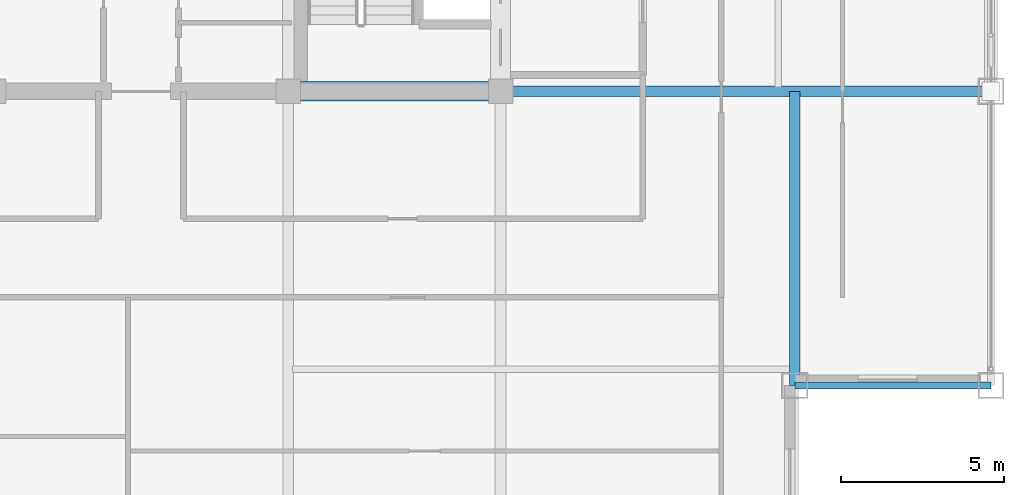
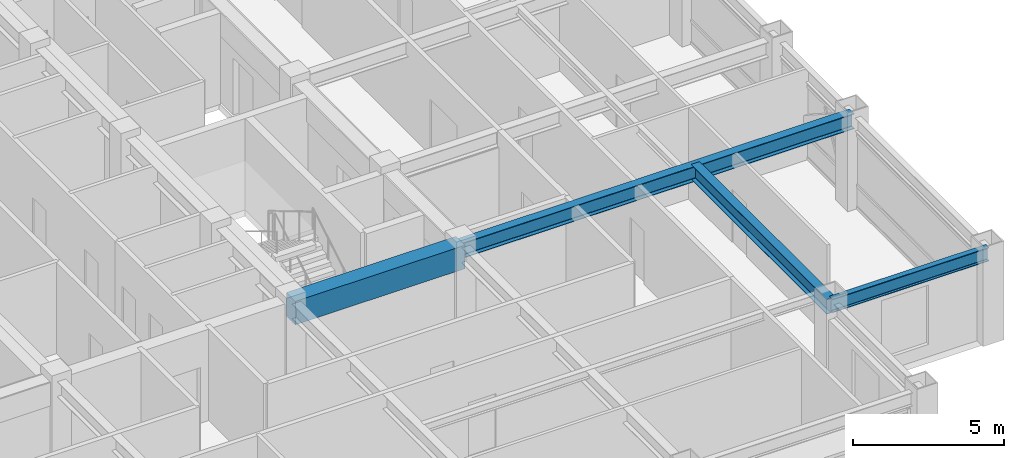
# One storey, part 9 of 32: 4 beams.
"""IFC4 building model written with IfcOpenShell, lengths in metres."""

from ifc_helpers import new_model, si_unit, direction, frame, origin, origin_2d, place, context, subcontext, project, spatial, rectangle, i_section, extrude, source, transform, mapped, material, material_profile, profile_set, type_object, element, save


model = new_model("IFC4")

# Units and contexts
model_context = context("Model", 3, precision=1e-05, world=origin(), true_north=direction((0.0, 1.0)))
body_context = subcontext(model_context, "Body", "Model", "MODEL_VIEW")
ifc_project = project(units=[si_unit("LENGTHUNIT", "METRE"), si_unit("AREAUNIT", "SQUARE_METRE"), si_unit("VOLUMEUNIT", "CUBIC_METRE"), si_unit("PLANEANGLEUNIT", "RADIAN"), si_unit("MASSUNIT", "GRAM", prefix="KILO")], contexts=[model_context])

# Site, building, storey
site_placement = place(None, origin())
site = spatial("IfcSite", under=ifc_project, at=site_placement, CompositionType="ELEMENT")
building_placement = place(site_placement, origin())
building = spatial("IfcBuilding", under=site, at=building_placement, Name="Khorayat Bourse Tower", CompositionType="ELEMENT")
storey_placement = place(building_placement, frame((0.0, 0.0, 342.300048828125)))
storey = spatial("IfcBuildingStorey", under=building, at=storey_placement, Name="L81", CompositionType="ELEMENT", Elevation=342.300048828125)

# Beams
ifc_material_1 = material(Name="Concrete C60/75", Category="concrete")
ifc_material_profile_1 = material_profile(ifc_material_1, rectangle(XDim=0.60009765625, YDim=0.949951171875, at=origin_2d()), Name="RC 600x950")
ifc_profile_set_1 = profile_set([ifc_material_profile_1], Name="Concrete C60/75")
beam_type_1 = type_object("IfcBeamType", Name="BM-COUP-950", PredefinedType="BEAM", material=ifc_profile_set_1)
shared_shape_1 = source(origin(), body_context, "Body", "SweptSolid", [
    extrude(rectangle(XDim=0.60009765625, YDim=0.949951171875, at=origin_2d()), origin(), (0.0, 0.0, 1.0), 6.5),
])
beam_1_placement = place(storey_placement, frame((4.5, -11.0, 3.224853515625), z_axis=(1.0, 0.0, 0.0), x_axis=(0.0, 1.0, 0.0)))
element("IfcBeam", 1, at=beam_1_placement, inside=storey, type_object=beam_type_1, Name="L81 BM-COUP-950 BM-L81-CRY-18", PredefinedType="BEAM", context=body_context, shape_type="MappedRepresentation", body=[
    mapped(shared_shape_1, transform((0.0, 0.0, 0.0), scale=1.0)),
])
ifc_material_2 = material(Name="Steel ASTM A992 Grade 50", Category="steel")
ifc_material_profile_2 = material_profile(ifc_material_2, i_section(OverallWidth=0.214111328125, OverallDepth=0.549072265625, WebThickness=0.0146484375, FlangeThickness=0.023681640625, FilletRadius=0.013916015625, at=origin_2d()), Name="W530X138")
ifc_profile_set_2 = profile_set([ifc_material_profile_2], Name="Steel ASTM A992 Grade 50")
beam_type_2 = type_object("IfcBeamType", Name="BM-SPAN-530", PredefinedType="SPANDREL", material=ifc_profile_set_2)
shared_shape_2 = source(origin(), body_context, "Body", "SweptSolid", [
    extrude(i_section(OverallWidth=0.214111328125, OverallDepth=0.549072265625, WebThickness=0.0146484375, FlangeThickness=0.023681640625, FilletRadius=0.013916015625, at=origin_2d()), origin(), (0.0, 0.0, 1.0), 6.0),
])
beam_2_placement = place(storey_placement, frame((20.0, -20.0, 3.425537109375), z_axis=(1.0, 0.0, 0.0), x_axis=(0.0, 1.0, 0.0)))
element("IfcBeam", 2, at=beam_2_placement, inside=storey, type_object=beam_type_2, Name="L81 BM-SPAN-530 BM-L81-SPN-028", PredefinedType="SPANDREL", context=body_context, shape_type="MappedRepresentation", body=[
    mapped(shared_shape_2, transform((0.0, 0.0, 0.0), scale=1.0)),
])
ifc_material_profile_3 = material_profile(ifc_material_2, i_section(OverallWidth=0.324951171875, OverallDepth=0.615966796875, WebThickness=0.013916015625, FlangeThickness=0.021484375, FilletRadius=0.01611328125, at=origin_2d()), Name="W610X174")
ifc_profile_set_3 = profile_set([ifc_material_profile_3], Name="Steel ASTM A992 Grade 50")
beam_type_3 = type_object("IfcBeamType", Name="BM-GIRD-610", PredefinedType="BEAM", material=ifc_profile_set_3)
shared_shape_3 = source(origin(), body_context, "Body", "SweptSolid", [
    extrude(i_section(OverallWidth=0.324951171875, OverallDepth=0.615966796875, WebThickness=0.013916015625, FlangeThickness=0.021484375, FilletRadius=0.01611328125, at=origin_2d()), origin(), (0.0, 0.0, 1.0), 15.0),
])
beam_3_placement = place(storey_placement, frame((11.0, -11.0, 3.391845703125), z_axis=(1.0, 0.0, 0.0), x_axis=(0.0, 1.0, 0.0)))
element("IfcBeam", 3, at=beam_3_placement, inside=storey, type_object=beam_type_3, Name="L81 BM-GIRD-610 BM-L81-RADX-061", PredefinedType="BEAM", context=body_context, shape_type="MappedRepresentation", body=[
    mapped(shared_shape_3, transform((0.0, 0.0, 0.0), scale=1.0)),
])
shared_shape_4 = source(origin(), body_context, "Body", "SweptSolid", [
    extrude(i_section(OverallWidth=0.324951171875, OverallDepth=0.615966796875, WebThickness=0.013916015625, FlangeThickness=0.021484375, FilletRadius=0.01611328125, at=origin_2d()), origin(), (0.0, 0.0, 1.0), 9.0),
])
beam_4_placement = place(storey_placement, frame((20.0, -20.0, 3.391845703125), z_axis=(0.0, 1.0, 0.0), x_axis=(-1.0, 0.0, 0.0)))
element("IfcBeam", 4, at=beam_4_placement, inside=storey, type_object=beam_type_3, Name="L81 BM-GIRD-610 BM-L81-CNRY-073", PredefinedType="BEAM", context=body_context, shape_type="MappedRepresentation", body=[
    mapped(shared_shape_4, transform((0.0, 0.0, 0.0), scale=1.0)),
])

save(model, "model.ifc")
